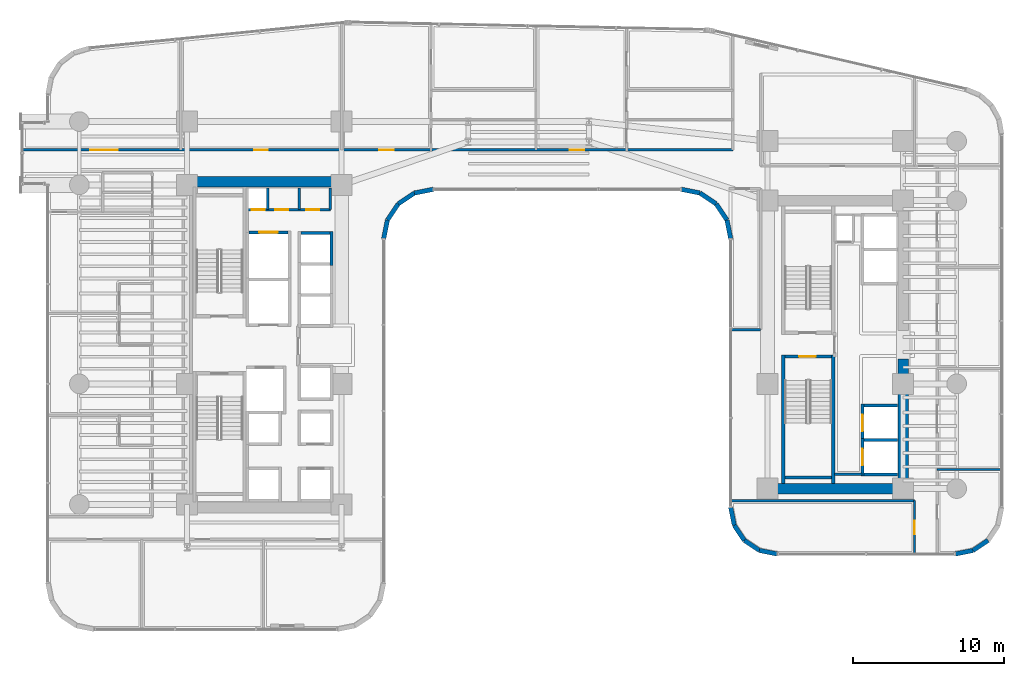
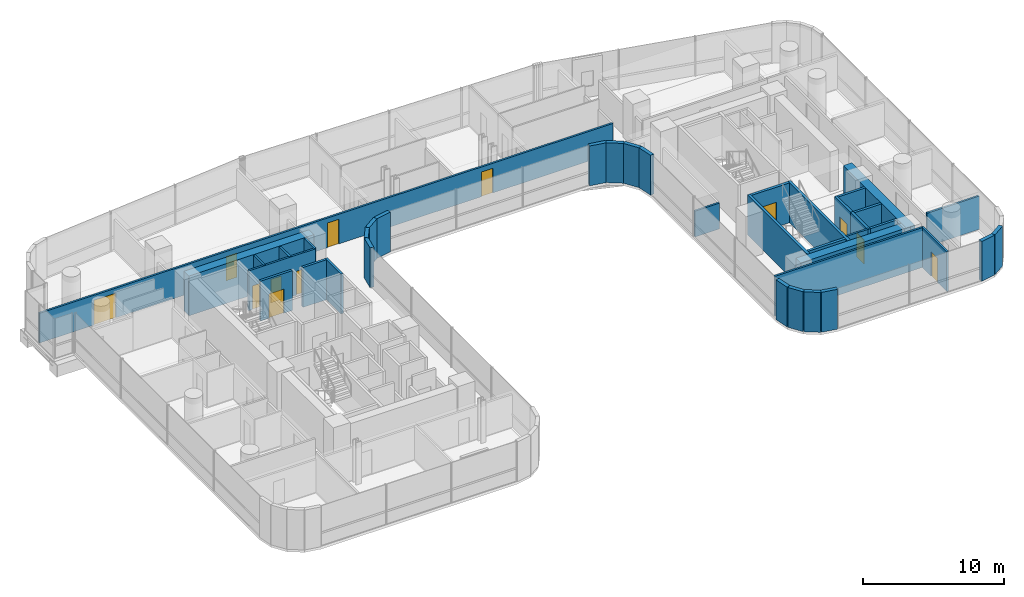
# One storey, part 33 of 41: 39 walls, 12 doors, 12 openings.
"""IFC4 building model written with IfcOpenShell, lengths in metres."""

from ifc_helpers import new_model, si_unit, direction, frame, frame_2d, origin, place, context, subcontext, project, spatial, rectangle, extrude, material, layer, layer_set, type_object, element, fill, save


model = new_model("IFC4")

# Units and contexts
model_context = context("Model", 3, precision=1e-05, world=origin(), true_north=direction((0.0, 1.0)))
body_context = subcontext(model_context, "Body", "Model", "MODEL_VIEW")
ifc_project = project(units=[si_unit("LENGTHUNIT", "METRE"), si_unit("AREAUNIT", "SQUARE_METRE"), si_unit("VOLUMEUNIT", "CUBIC_METRE"), si_unit("PLANEANGLEUNIT", "RADIAN"), si_unit("MASSUNIT", "GRAM", prefix="KILO")], contexts=[model_context])

# Site, building, storey
site_placement = place(None, origin())
site = spatial("IfcSite", under=ifc_project, at=site_placement, CompositionType="ELEMENT")
building_placement = place(site_placement, origin())
building = spatial("IfcBuilding", under=site, at=building_placement, Name="Valdorenza Pilgrim Sanctuary Tower", CompositionType="ELEMENT")
storey_placement = place(building_placement, frame((0.0, 0.0, 85.199951171875)))
storey = spatial("IfcBuildingStorey", under=building, at=storey_placement, Name="L21", CompositionType="ELEMENT", Elevation=85.199951171875)

# Wall, openings, doors
ifc_material_1 = material(Name="Acoustic twin-stud gypsum partition", Category="gypsum")
ifc_layer_1 = layer(ifc_material_1, 0.159912109375, Name="Acoustic twin-stud gypsum partition")
ifc_layer_set_1 = layer_set([ifc_layer_1], Name="Acoustic twin-stud gypsum partition")
wall_type_1 = type_object("IfcWallType", Name="WAL-COR-160", PredefinedType="PARTITIONING", material=ifc_layer_set_1)
wall_1_placement = place(storey_placement, frame((-18.64990234375, 8.949951171875, 0.0), z_axis=(0.0, 0.0, 1.0), x_axis=(1.0, 0.0, 0.0)))
wall_1 = element("IfcWall", 1, at=wall_1_placement, inside=storey, type_object=wall_type_1, Name="L21 Core A North Service South Wall", PredefinedType="PARTITIONING", context=body_context, shape_type="SweptSolid", body=[
    extrude(rectangle(XDim=5.5, YDim=0.159912109375, at=frame_2d((2.75, 0.0))), origin(), (0.0, 0.0, 1.0), 3.4599609375),
])
opening_1_placement = place(wall_1_placement, frame((0.300048828125, 0.0, 0.0)))
opening_1 = element("IfcOpeningElement", 2, at=opening_1_placement, cuts=wall_1, Name="Opening DR-RS1", PredefinedType="OPENING", context=body_context, shape_type="SweptSolid", body=[
    extrude(rectangle(XDim=0.85009765625, YDim=2.050048828125, at=frame_2d((0.425048828125, 1.02490234375))), frame((0.0, 0.0947265625, 0.0), z_axis=(0.0, -1.0, 0.0), x_axis=(1.0, 0.0, 0.0)), (0.0, 0.0, 1.0), 0.189697265625),
])
opening_2_placement = place(wall_1_placement, frame((1.85009765625, 0.0, 0.0)))
opening_2 = element("IfcOpeningElement", 3, at=opening_2_placement, cuts=wall_1, Name="Opening DR-RS1", PredefinedType="OPENING", context=body_context, shape_type="SweptSolid", body=[
    extrude(rectangle(XDim=0.85009765625, YDim=2.050048828125, at=frame_2d((0.425048828125, 1.02490234375))), frame((0.0, 0.0947265625, 0.0), z_axis=(0.0, -1.0, 0.0), x_axis=(1.0, 0.0, 0.0)), (0.0, 0.0, 1.0), 0.189697265625),
])
opening_3_placement = place(wall_1_placement, frame((3.89990234375, 0.0, 0.0)))
opening_3 = element("IfcOpeningElement", 4, at=opening_3_placement, cuts=wall_1, Name="Opening DR-RS1", PredefinedType="OPENING", context=body_context, shape_type="SweptSolid", body=[
    extrude(rectangle(XDim=0.85009765625, YDim=2.050048828125, at=frame_2d((0.425048828125, 1.02490234375))), frame((0.0, 0.0947265625, 0.0), z_axis=(0.0, -1.0, 0.0), x_axis=(1.0, 0.0, 0.0)), (0.0, 0.0, 1.0), 0.189697265625),
])
ifc_material_2 = material(Name="Painted galvanized steel", Category="steel")
door_type_1 = type_object("IfcDoorType", Name="DR-RSR-850", OperationType="NOTDEFINED", PredefinedType="DOOR", material=ifc_material_2)
door_1_placement = place(opening_1_placement, origin())
door_1 = element("IfcDoor", 5, at=door_1_placement, inside=storey, type_object=door_type_1, Name="L21 Core Electrical and Telecom Riser Door", OperationType="SINGLE_SWING_LEFT", OverallHeight=2.050048828125, OverallWidth=0.85009765625, PredefinedType="DOOR", context=body_context, shape_type="SweptSolid", body=[
    extrude(rectangle(XDim=0.85009765625, YDim=2.050048828125, at=frame_2d((0.425048828125, 1.02490234375))), frame((0.0, 0.02490234375, 0.0), z_axis=(0.0, -1.0, 0.0), x_axis=(1.0, 0.0, 0.0)), (0.0, 0.0, 1.0), 0.050048828125),
])
fill(opening_1, door_1)
door_2_placement = place(opening_2_placement, origin())
door_2 = element("IfcDoor", 6, at=door_2_placement, inside=storey, type_object=door_type_1, Name="L21 Housekeeping and Clean Linen Room Door", OperationType="SINGLE_SWING_RIGHT", OverallHeight=2.050048828125, OverallWidth=0.85009765625, PredefinedType="DOOR", context=body_context, shape_type="SweptSolid", body=[
    extrude(rectangle(XDim=0.85009765625, YDim=2.050048828125, at=frame_2d((0.425048828125, 1.02490234375))), frame((0.0, 0.02490234375, 0.0), z_axis=(0.0, -1.0, 0.0), x_axis=(1.0, 0.0, 0.0)), (0.0, 0.0, 1.0), 0.050048828125),
])
fill(opening_2, door_2)
door_3_placement = place(opening_3_placement, origin())
door_3 = element("IfcDoor", 7, at=door_3_placement, inside=storey, type_object=door_type_1, Name="L21 Guest Ice and Vending Pantry Door", OperationType="SINGLE_SWING_LEFT", OverallHeight=2.050048828125, OverallWidth=0.85009765625, PredefinedType="DOOR", context=body_context, shape_type="SweptSolid", body=[
    extrude(rectangle(XDim=0.85009765625, YDim=2.050048828125, at=frame_2d((0.425048828125, 1.02490234375))), frame((0.0, 0.02490234375, 0.0), z_axis=(0.0, -1.0, 0.0), x_axis=(1.0, 0.0, 0.0)), (0.0, 0.0, 1.0), 0.050048828125),
])
fill(opening_3, door_3)

# Walls
for number, where, z_axis, x_axis, name in (
    (8, (-13.14990234375, 8.949951171875, 0.0), (0.0, 0.0, 1.0), (0.0, 1.0, 0.0), "L21 Core A North Service East Wall"),
    (9, (-17.300048828125, 8.949951171875, 0.0), (0.0, 0.0, 1.0), (0.0, 1.0, 0.0), "L21 Core Electrical Riser Wall"),
    (10, (-15.199951171875, 8.949951171875, 0.0), (0.0, 0.0, 1.0), (0.0, 1.0, 0.0), "L21 Core A Housekeeping Split B"),
):
    element("IfcWall", number, at=place(storey_placement, frame(where, z_axis=z_axis, x_axis=x_axis)), inside=storey, type_object=wall_type_1, Name=name, PredefinedType="PARTITIONING", context=body_context, shape_type="SweptSolid", body=[
        extrude(rectangle(XDim=1.429931640625, YDim=0.159912109375, at=frame_2d((0.71484375, 0.0))), origin(), (0.0, 0.0, 1.0), 3.4599609375),
    ])
wall_2_placement = place(storey_placement, frame((20.300048828125, -8.60009765625, 0.0), z_axis=(0.0, 0.0, 1.0), x_axis=(1.0, 0.0, 0.0)))
element("IfcWall", 11, at=wall_2_placement, inside=storey, type_object=wall_type_1, Name="L21 Core B Lift Hall South End Wall", PredefinedType="PARTITIONING", context=body_context, shape_type="SweptSolid", body=[
    extrude(rectangle(XDim=1.820068359375, YDim=0.159912109375, at=frame_2d((0.91015625, 0.0))), origin(), (0.0, 0.0, 1.0), 3.4599609375),
])

# Wall, openings, doors
wall_3_placement = place(storey_placement, frame((-33.5400390625, 12.919921875, 0.0), z_axis=(0.0, 0.0, 1.0), x_axis=(1.0, 0.0, 0.0)))
wall_3 = element("IfcWall", 12, at=wall_3_placement, inside=storey, type_object=wall_type_1, Name="L21 North Corridor Wall", PredefinedType="PARTITIONING", context=body_context, shape_type="SweptSolid", body=[
    extrude(rectangle(XDim=47.090087890625, YDim=0.159912109375, at=frame_2d((23.544921875, 0.0))), origin(), (0.0, 0.0, 1.0), 2.5830078125),
])
opening_4_placement = place(wall_3_placement, frame((4.47998046875, 0.0, 0.0)))
opening_4 = element("IfcOpeningElement", 13, at=opening_4_placement, cuts=wall_3, Name="Opening DR-HL1", PredefinedType="OPENING", context=body_context, shape_type="SweptSolid", body=[
    extrude(rectangle(XDim=1.800048828125, YDim=2.14990234375, at=frame_2d((0.89990234375, 1.074951171875))), frame((0.0, 0.0947265625, 0.0), z_axis=(0.0, -1.0, 0.0), x_axis=(1.0, 0.0, 0.0)), (0.0, 0.0, 1.0), 0.189697265625),
])
opening_5_placement = place(wall_3_placement, frame((15.35498046875, 0.0, 0.0)))
opening_5 = element("IfcOpeningElement", 14, at=opening_5_placement, cuts=wall_3, Name="Opening DR-RM1", PredefinedType="OPENING", context=body_context, shape_type="SweptSolid", body=[
    extrude(rectangle(XDim=0.89990234375, YDim=2.10009765625, at=frame_2d((0.449951171875, 1.050048828125))), frame((0.0, 0.0947265625, 0.0), z_axis=(0.0, -1.0, 0.0), x_axis=(1.0, 0.0, 0.0)), (0.0, 0.0, 1.0), 0.189697265625),
])
opening_6_placement = place(wall_3_placement, frame((23.632080078125, 0.0, 0.0)))
opening_6 = element("IfcOpeningElement", 15, at=opening_6_placement, cuts=wall_3, Name="Opening DR-UN1", PredefinedType="OPENING", context=body_context, shape_type="SweptSolid", body=[
    extrude(rectangle(XDim=0.949951171875, YDim=2.14990234375, at=frame_2d((0.47509765625, 1.074951171875))), frame((0.0, 0.0947265625, 0.0), z_axis=(0.0, -1.0, 0.0), x_axis=(1.0, 0.0, 0.0)), (0.0, 0.0, 1.0), 0.189697265625),
])
opening_7_placement = place(wall_3_placement, frame((36.280029296875, 0.0, 0.0)))
opening_7 = element("IfcOpeningElement", 16, at=opening_7_placement, cuts=wall_3, Name="Opening DR-UN1", PredefinedType="OPENING", context=body_context, shape_type="SweptSolid", body=[
    extrude(rectangle(XDim=0.949951171875, YDim=2.14990234375, at=frame_2d((0.47509765625, 1.074951171875))), frame((0.0, 0.0947265625, 0.0), z_axis=(0.0, -1.0, 0.0), x_axis=(1.0, 0.0, 0.0)), (0.0, 0.0, 1.0), 0.189697265625),
])
ifc_material_3 = material(Name="Acoustic oak and vision-glass double door", Category="glass")
door_type_2 = type_object("IfcDoorType", Name="DR-HALL-1800", OperationType="NOTDEFINED", PredefinedType="DOOR", material=ifc_material_3)
door_4_placement = place(opening_4_placement, origin())
door_4 = element("IfcDoor", 17, at=door_4_placement, inside=storey, type_object=door_type_2, Name="L21 Sacred Art Exhibition Gallery L21-N1 Door", OperationType="DOUBLE_DOOR_SINGLE_SWING", OverallHeight=2.14990234375, OverallWidth=1.800048828125, PredefinedType="DOOR", context=body_context, shape_type="SweptSolid", body=[
    extrude(rectangle(XDim=1.800048828125, YDim=2.14990234375, at=frame_2d((0.89990234375, 1.074951171875))), frame((0.0, 0.02490234375, 0.0), z_axis=(0.0, -1.0, 0.0), x_axis=(1.0, 0.0, 0.0)), (0.0, 0.0, 1.0), 0.050048828125),
])
fill(opening_4, door_4)
ifc_material_4 = material(Name="Solid-core European oak timber", Category="wood")
door_type_3 = type_object("IfcDoorType", Name="DR-ROOM-900", OperationType="NOTDEFINED", PredefinedType="DOOR", material=ifc_material_4)
door_5_placement = place(opening_5_placement, frame((0.89990234375, 0.0, 0.0), z_axis=(0.0, 0.0, 1.0), x_axis=(-1.0, 0.0, 0.0)))
door_5 = element("IfcDoor", 18, at=door_5_placement, inside=storey, type_object=door_type_3, Name="L21 Sacred Manuscript Archive L21-N2 Door", OperationType="SINGLE_SWING_LEFT", OverallHeight=2.10009765625, OverallWidth=0.89990234375, PredefinedType="DOOR", context=body_context, shape_type="SweptSolid", body=[
    extrude(rectangle(XDim=0.89990234375, YDim=2.10009765625, at=frame_2d((0.449951171875, 1.050048828125))), frame((0.0, 0.02490234375, 0.0), z_axis=(0.0, -1.0, 0.0), x_axis=(1.0, 0.0, 0.0)), (0.0, 0.0, 1.0), 0.050048828125),
])
fill(opening_5, door_5)
door_type_4 = type_object("IfcDoorType", Name="DR-UNIT-950", OperationType="NOTDEFINED", PredefinedType="DOOR", material=ifc_material_4)
door_6_placement = place(opening_6_placement, origin())
door_6 = element("IfcDoor", 19, at=door_6_placement, inside=storey, type_object=door_type_4, Name="L21 North Sanctuary Apartment L21-N3 Entrance Door", OperationType="SINGLE_SWING_RIGHT", OverallHeight=2.14990234375, OverallWidth=0.949951171875, PredefinedType="DOOR", context=body_context, shape_type="SweptSolid", body=[
    extrude(rectangle(XDim=0.949951171875, YDim=2.14990234375, at=frame_2d((0.47509765625, 1.074951171875))), frame((0.0, 0.02490234375, 0.0), z_axis=(0.0, -1.0, 0.0), x_axis=(1.0, 0.0, 0.0)), (0.0, 0.0, 1.0), 0.050048828125),
])
fill(opening_6, door_6)
door_7_placement = place(opening_7_placement, origin())
door_7 = element("IfcDoor", 20, at=door_7_placement, inside=storey, type_object=door_type_4, Name="L21 North Sanctuary Apartment L21-N4 Entrance Door", OperationType="SINGLE_SWING_RIGHT", OverallHeight=2.14990234375, OverallWidth=0.949951171875, PredefinedType="DOOR", context=body_context, shape_type="SweptSolid", body=[
    extrude(rectangle(XDim=0.949951171875, YDim=2.14990234375, at=frame_2d((0.47509765625, 1.074951171875))), frame((0.0, 0.02490234375, 0.0), z_axis=(0.0, -1.0, 0.0), x_axis=(1.0, 0.0, 0.0)), (0.0, 0.0, 1.0), 0.050048828125),
])
fill(opening_7, door_7)

# Wall, opening, door
wall_4_placement = place(storey_placement, frame((25.60009765625, -13.889892578125, 0.0), z_axis=(0.0, 0.0, 1.0), x_axis=(0.0, 1.0, 0.0)))
wall_4 = element("IfcWall", 21, at=wall_4_placement, inside=storey, type_object=wall_type_1, Name="L21 Wing B South-East Corridor Wall", PredefinedType="PARTITIONING", context=body_context, shape_type="SweptSolid", body=[
    extrude(rectangle(XDim=3.539794921875, YDim=0.159912109375, at=frame_2d((1.77001953125, 0.0))), origin(), (0.0, 0.0, 1.0), 3.4599609375),
])
opening_8_placement = place(wall_4_placement, frame((1.320068359375, 0.0, 0.0)))
opening_8 = element("IfcOpeningElement", 22, at=opening_8_placement, cuts=wall_4, Name="Opening DR-RM1", PredefinedType="OPENING", context=body_context, shape_type="SweptSolid", body=[
    extrude(rectangle(XDim=0.89990234375, YDim=2.10009765625, at=frame_2d((0.449951171875, 1.050048828125))), frame((0.0, 0.0947265625, 0.0), z_axis=(0.0, -1.0, 0.0), x_axis=(1.0, 0.0, 0.0)), (0.0, 0.0, 1.0), 0.189697265625),
])
door_8_placement = place(opening_8_placement, frame((0.89990234375, 0.0, 0.0), z_axis=(0.0, 0.0, 1.0), x_axis=(-1.0, 0.0, 0.0)))
door_8 = element("IfcDoor", 23, at=door_8_placement, inside=storey, type_object=door_type_3, Name="L21 Theological Reference Library L21-BS Door", OperationType="SINGLE_SWING_LEFT", OverallHeight=2.10009765625, OverallWidth=0.89990234375, PredefinedType="DOOR", context=body_context, shape_type="SweptSolid", body=[
    extrude(rectangle(XDim=0.89990234375, YDim=2.10009765625, at=frame_2d((0.449951171875, 1.050048828125))), frame((0.0, 0.02490234375, 0.0), z_axis=(0.0, -1.0, 0.0), x_axis=(1.0, 0.0, 0.0)), (0.0, 0.0, 1.0), 0.050048828125),
])
fill(opening_8, door_8)

# Walls
wall_5_placement = place(storey_placement, frame((13.409912109375, -10.35009765625, 0.0), z_axis=(0.0, 0.0, 1.0), x_axis=(1.0, 0.0, 0.0)))
element("IfcWall", 24, at=wall_5_placement, inside=storey, type_object=wall_type_1, Name="L21 Wing B South North Wall", PredefinedType="PARTITIONING", context=body_context, shape_type="SweptSolid", body=[
    extrude(rectangle(XDim=12.190185546875, YDim=0.159912109375, at=frame_2d((6.09521484375, 0.0))), origin(), (0.0, 0.0, 1.0), 3.4599609375),
])
wall_6_placement = place(storey_placement, frame((13.409912109375, 1.0, 0.0), z_axis=(0.0, 0.0, 1.0), x_axis=(1.0, 0.0, 0.0)))
element("IfcWall", 25, at=wall_6_placement, inside=storey, type_object=wall_type_1, Name="L21 Courtyard Overlook South Wall", PredefinedType="PARTITIONING", context=body_context, shape_type="SweptSolid", body=[
    extrude(rectangle(XDim=1.989990234375, YDim=0.159912109375, at=frame_2d((0.9951171875, 0.0))), origin(), (0.0, 0.0, 1.0), 2.2451171875),
])
ifc_material_5 = material(Name="Concrete C60/75", Category="concrete")
ifc_layer_2 = layer(ifc_material_5, 0.699951171875, Name="Concrete C60/75")
ifc_layer_set_2 = layer_set([ifc_layer_2], Name="Concrete C60/75")
wall_type_2 = type_object("IfcWallType", Name="WAL-COR-700", PredefinedType="SHEAR", material=ifc_layer_set_2)
wall_7_placement = place(storey_placement, frame((-22.64990234375, 10.800048828125, 0.0), z_axis=(0.0, 0.0, 1.0), x_axis=(1.0, 0.0, 0.0)))
element("IfcWall", 26, at=wall_7_placement, inside=storey, type_object=wall_type_2, Name="L21 Split Core A Shear Wall N", PredefinedType="SHEAR", context=body_context, shape_type="SweptSolid", body=[
    extrude(rectangle(XDim=10.25, YDim=0.699951171875, at=frame_2d((5.125, 0.0))), origin(), (0.0, 0.0, 1.0), 3.4599609375),
])
wall_8_placement = place(storey_placement, frame((24.85009765625, -9.89990234375, 0.0), z_axis=(0.0, 0.0, 1.0), x_axis=(0.0, 1.0, 0.0)))
element("IfcWall", 27, at=wall_8_placement, inside=storey, type_object=wall_type_2, Name="L21 Split Core B Shear Wall ES", PredefinedType="SHEAR", context=body_context, shape_type="SweptSolid", body=[
    extrude(rectangle(XDim=8.949951171875, YDim=0.699951171875, at=frame_2d((4.47509765625, 0.0))), origin(), (0.0, 0.0, 1.0), 3.4599609375),
])
wall_9_placement = place(storey_placement, frame((15.85009765625, -9.550048828125, 0.0), z_axis=(0.0, 0.0, 1.0), x_axis=(1.0, 0.0, 0.0)))
element("IfcWall", 28, at=wall_9_placement, inside=storey, type_object=wall_type_2, Name="L21 Split Core B Shear Wall S", PredefinedType="SHEAR", context=body_context, shape_type="SweptSolid", body=[
    extrude(rectangle(XDim=9.0, YDim=0.699951171875, at=frame_2d((4.5, 0.0))), origin(), (0.0, 0.0, 1.0), 3.4599609375),
])
ifc_material_6 = material(Name="Honed travertine limestone", Category="masonry")
ifc_layer_3 = layer(ifc_material_6, 0.300048828125, Name="Honed travertine limestone")
ifc_layer_set_3 = layer_set([ifc_layer_3], Name="Honed travertine limestone")
wall_type_3 = type_object("IfcWallType", Name="WAL-EXT-300", PredefinedType="SOLIDWALL", material=ifc_layer_set_3)
wall_10_placement = place(storey_placement, frame((30.4833984375, -12.9833984375, 0.0), z_axis=(0.0, 0.0, 1.0), x_axis=(-0.831426265255, -0.555635100982, 0.0)))
element("IfcWall", 29, at=wall_10_placement, inside=storey, type_object=wall_type_3, Name="L21 Rounded Wind-Corner Stone Pier 24", PredefinedType="SOLIDWALL", context=body_context, shape_type="SweptSolid", body=[
    extrude(rectangle(XDim=1.204833984375, YDim=0.300048828125, at=frame_2d((0.6025390625, 0.0))), origin(), (0.0, 0.0, 1.0), 3.4599609375),
])
for number, where, z_axis, x_axis, name in (
    (30, (29.481689453125, -13.65283203125, 0.0), (0.0, 0.0, 1.0), (-0.980804027463, -0.194996050505, 0.0), "L21 Rounded Wind-Corner Stone Pier 25"),
    (31, (16.5107421875, -13.889892578125, 0.0), (0.0, 0.0, 1.0), (-0.980804027463, 0.194996050505, 0.0), "L21 Rounded Wind-Corner Stone Pier 27"),
):
    element("IfcWall", number, at=place(storey_placement, frame(where, z_axis=z_axis, x_axis=x_axis)), inside=storey, type_object=wall_type_3, Name=name, PredefinedType="SOLIDWALL", context=body_context, shape_type="SweptSolid", body=[
        extrude(rectangle(XDim=1.2158203125, YDim=0.300048828125, at=frame_2d((0.60791015625, 0.0))), origin(), (0.0, 0.0, 1.0), 3.4599609375),
    ])
for number, where, z_axis, x_axis, name in (
    (32, (15.318359375, -13.65283203125, 0.0), (0.0, 0.0, 1.0), (-0.831426265255, 0.555635100982, 0.0), "L21 Rounded Wind-Corner Stone Pier 28"),
    (33, (14.316650390625, -12.9833984375, 0.0), (0.0, 0.0, 1.0), (-0.555635100982, 0.831426265255, 0.0), "L21 Rounded Wind-Corner Stone Pier 29"),
):
    element("IfcWall", number, at=place(storey_placement, frame(where, z_axis=z_axis, x_axis=x_axis)), inside=storey, type_object=wall_type_3, Name=name, PredefinedType="SOLIDWALL", context=body_context, shape_type="SweptSolid", body=[
        extrude(rectangle(XDim=1.204833984375, YDim=0.300048828125, at=frame_2d((0.6025390625, 0.0))), origin(), (0.0, 0.0, 1.0), 3.4599609375),
    ])
wall_11_placement = place(storey_placement, frame((13.647216796875, -11.981689453125, 0.0), z_axis=(0.0, 0.0, 1.0), x_axis=(-0.195189223115, 0.980765602568, 0.0)))
element("IfcWall", 34, at=wall_11_placement, inside=storey, type_object=wall_type_3, Name="L21 Rounded Wind-Corner Stone Pier 30", PredefinedType="SOLIDWALL", context=body_context, shape_type="SweptSolid", body=[
    extrude(rectangle(XDim=1.2158203125, YDim=0.300048828125, at=frame_2d((0.60791015625, 0.0))), origin(), (0.0, 0.0, 1.0), 3.4599609375),
])
wall_12_placement = place(storey_placement, frame((13.409912109375, 7.0107421875, 0.0), z_axis=(0.0, 0.0, 1.0), x_axis=(-0.195090163074, 0.980785312019, 0.0)))
element("IfcWall", 35, at=wall_12_placement, inside=storey, type_object=wall_type_3, Name="L21 Rounded Wind-Corner Stone Pier 32", PredefinedType="SOLIDWALL", context=body_context, shape_type="SweptSolid", body=[
    extrude(rectangle(XDim=1.281494140625, YDim=0.300048828125, at=frame_2d((0.640625, 0.0))), origin(), (0.0, 0.0, 1.0), 3.4599609375),
])
for number, where, z_axis, x_axis, name in (
    (36, (13.159912109375, 8.267578125, 0.0), (0.0, 0.0, 1.0), (-0.555615398575, 0.831439431869, 0.0), "L21 Rounded Wind-Corner Stone Pier 33"),
    (37, (12.44189453125, 9.342041015625, 0.0), (0.0, 0.0, 1.0), (-0.831439431869, 0.555615398575, 0.0), "L21 Rounded Wind-Corner Stone Pier 34"),
):
    element("IfcWall", number, at=place(storey_placement, frame(where, z_axis=z_axis, x_axis=x_axis)), inside=storey, type_object=wall_type_3, Name=name, PredefinedType="SOLIDWALL", context=body_context, shape_type="SweptSolid", body=[
        extrude(rectangle(XDim=1.292236328125, YDim=0.300048828125, at=frame_2d((0.64599609375, 0.0))), origin(), (0.0, 0.0, 1.0), 3.4599609375),
    ])
for number, where, z_axis, x_axis, name in (
    (38, (11.367431640625, 10.06005859375, 0.0), (0.0, 0.0, 1.0), (-0.980778058848, 0.195126623715, 0.0), "L21 Rounded Wind-Corner Stone Pier 35"),
    (39, (-6.310791015625, 10.31005859375, 0.0), (0.0, 0.0, 1.0), (-0.980778058848, -0.195126623715, 0.0), "L21 Rounded Wind-Corner Stone Pier 37"),
):
    element("IfcWall", number, at=place(storey_placement, frame(where, z_axis=z_axis, x_axis=x_axis)), inside=storey, type_object=wall_type_3, Name=name, PredefinedType="SOLIDWALL", context=body_context, shape_type="SweptSolid", body=[
        extrude(rectangle(XDim=1.28125, YDim=0.300048828125, at=frame_2d((0.640625, 0.0))), origin(), (0.0, 0.0, 1.0), 3.4599609375),
    ])
wall_13_placement = place(storey_placement, frame((-7.5673828125, 10.06005859375, 0.0), z_axis=(0.0, 0.0, 1.0), x_axis=(-0.831497739511, -0.555528135371, 0.0)))
element("IfcWall", 40, at=wall_13_placement, inside=storey, type_object=wall_type_3, Name="L21 Rounded Wind-Corner Stone Pier 38", PredefinedType="SOLIDWALL", context=body_context, shape_type="SweptSolid", body=[
    extrude(rectangle(XDim=1.29248046875, YDim=0.300048828125, at=frame_2d((0.646240234375, 0.0))), origin(), (0.0, 0.0, 1.0), 3.4599609375),
])
wall_14_placement = place(storey_placement, frame((-8.64208984375, 9.342041015625, 0.0), z_axis=(0.0, 0.0, 1.0), x_axis=(-0.555615398575, -0.831439431869, 0.0)))
element("IfcWall", 41, at=wall_14_placement, inside=storey, type_object=wall_type_3, Name="L21 Rounded Wind-Corner Stone Pier 39", PredefinedType="SOLIDWALL", context=body_context, shape_type="SweptSolid", body=[
    extrude(rectangle(XDim=1.292236328125, YDim=0.300048828125, at=frame_2d((0.64599609375, 0.0))), origin(), (0.0, 0.0, 1.0), 3.4599609375),
])
wall_15_placement = place(storey_placement, frame((-9.360107421875, 8.267578125, 0.0), z_axis=(0.0, 0.0, 1.0), x_axis=(-0.195090163074, -0.980785312019, 0.0)))
element("IfcWall", 42, at=wall_15_placement, inside=storey, type_object=wall_type_3, Name="L21 Rounded Wind-Corner Stone Pier 40", PredefinedType="SOLIDWALL", context=body_context, shape_type="SweptSolid", body=[
    extrude(rectangle(XDim=1.281494140625, YDim=0.300048828125, at=frame_2d((0.640625, 0.0))), origin(), (0.0, 0.0, 1.0), 3.4599609375),
])

# Wall, opening, door
ifc_material_7 = material(Name="Autoclaved aerated concrete blockwork", Category="masonry")
ifc_layer_4 = layer(ifc_material_7, 0.199951171875, Name="Autoclaved aerated concrete blockwork")
ifc_layer_set_4 = layer_set([ifc_layer_4], Name="Autoclaved aerated concrete blockwork")
wall_type_4 = type_object("IfcWallType", Name="WAL-SHF-200", PredefinedType="MOVABLE", material=ifc_layer_set_4)
wall_16_placement = place(storey_placement, frame((-18.550048828125, 7.449951171875, 0.0), z_axis=(0.0, 0.0, 1.0), x_axis=(1.0, 0.0, 0.0)))
wall_16 = element("IfcWall", 43, at=wall_16_placement, inside=storey, type_object=wall_type_4, Name="L21 Lift SVL-01 Hoistway Wall North", PredefinedType="MOVABLE", context=body_context, shape_type="SweptSolid", body=[
    extrude(rectangle(XDim=2.60009765625, YDim=0.199951171875, at=frame_2d((1.300048828125, 0.0))), origin(), (0.0, 0.0, 1.0), 3.4599609375),
])
opening_9_placement = place(wall_16_placement, frame((0.699951171875, 0.0, 0.0)))
opening_9 = element("IfcOpeningElement", 44, at=opening_9_placement, cuts=wall_16, Name="Opening LD-02", PredefinedType="OPENING", context=body_context, shape_type="SweptSolid", body=[
    extrude(rectangle(XDim=1.199951171875, YDim=2.10009765625, at=frame_2d((0.60009765625, 1.050048828125))), frame((0.0, 0.11474609375, 0.0), z_axis=(0.0, -1.0, 0.0), x_axis=(1.0, 0.0, 0.0)), (0.0, 0.0, 1.0), 0.229736328125),
])
ifc_material_8 = material(Name="Brushed stainless steel Grade 316", Category="steel")
door_type_5 = type_object("IfcDoorType", Name="DR-LFT-1200", OperationType="DOUBLE_DOOR_SLIDING", PredefinedType="DOOR", material=ifc_material_8)
door_9_placement = place(opening_9_placement, origin())
door_9 = element("IfcDoor", 45, at=door_9_placement, inside=storey, type_object=door_type_5, Name="L21 Lift SVL-01 Sliding Landing Door", OperationType="DOUBLE_DOOR_SLIDING", OverallHeight=2.10009765625, OverallWidth=1.199951171875, PredefinedType="DOOR", context=body_context, shape_type="SweptSolid", body=[
    extrude(rectangle(XDim=1.199951171875, YDim=2.10009765625, at=frame_2d((0.60009765625, 1.050048828125))), frame((0.0, 0.02490234375, 0.0), z_axis=(0.0, -1.0, 0.0), x_axis=(1.0, 0.0, 0.0)), (0.0, 0.0, 1.0), 0.050048828125),
])
fill(opening_9, door_9)

wall_17_placement = place(storey_placement, frame((22.14990234375, -8.699951171875, 0.0), z_axis=(0.0, 0.0, 1.0), x_axis=(0.0, 1.0, 0.0)))
wall_17 = element("IfcWall", 46, at=wall_17_placement, inside=storey, type_object=wall_type_4, Name="L21 Lift PL-03 Hoistway Wall West", PredefinedType="MOVABLE", context=body_context, shape_type="SweptSolid", body=[
    extrude(rectangle(XDim=2.474853515625, YDim=0.199951171875, at=frame_2d((1.2373046875, 0.0))), origin(), (0.0, 0.0, 1.0), 3.4599609375),
])
opening_10_placement = place(wall_17_placement, frame((0.6875, 0.0, 0.0)))
opening_10 = element("IfcOpeningElement", 47, at=opening_10_placement, cuts=wall_17, Name="Opening LD-01", PredefinedType="OPENING", context=body_context, shape_type="SweptSolid", body=[
    extrude(rectangle(XDim=1.10009765625, YDim=2.10009765625, at=frame_2d((0.550048828125, 1.050048828125))), frame((0.0, 0.11474609375, 0.0), z_axis=(0.0, -1.0, 0.0), x_axis=(1.0, 0.0, 0.0)), (0.0, 0.0, 1.0), 0.229736328125),
])
door_type_6 = type_object("IfcDoorType", Name="DR-LFT-1100", OperationType="DOUBLE_DOOR_SLIDING", PredefinedType="DOOR", material=ifc_material_8)
door_10_placement = place(opening_10_placement, origin())
door_10 = element("IfcDoor", 48, at=door_10_placement, inside=storey, type_object=door_type_6, Name="L21 Lift PL-03 Sliding Landing Door", OperationType="DOUBLE_DOOR_SLIDING", OverallHeight=2.10009765625, OverallWidth=1.10009765625, PredefinedType="DOOR", context=body_context, shape_type="SweptSolid", body=[
    extrude(rectangle(XDim=1.10009765625, YDim=2.10009765625, at=frame_2d((0.550048828125, 1.050048828125))), frame((0.0, 0.02490234375, 0.0), z_axis=(0.0, -1.0, 0.0), x_axis=(1.0, 0.0, 0.0)), (0.0, 0.0, 1.0), 0.050048828125),
])
fill(opening_10, door_10)

# Walls
for number, where, z_axis, x_axis, name in (
    (49, (22.25, -8.60009765625, 0.0), (0.0, 0.0, 1.0), (1.0, 0.0, 0.0), "L21 Lift PL-03 Hoistway Wall South"),
    (50, (22.25, -6.324951171875, 0.0), (0.0, 0.0, 1.0), (1.0, 0.0, 0.0), "L21 Lift PL-03 Hoistway Wall North"),
):
    element("IfcWall", number, at=place(storey_placement, frame(where, z_axis=z_axis, x_axis=x_axis)), inside=storey, type_object=wall_type_4, Name=name, PredefinedType="MOVABLE", context=body_context, shape_type="SweptSolid", body=[
        extrude(rectangle(XDim=2.22998046875, YDim=0.199951171875, at=frame_2d((1.114990234375, 0.0))), origin(), (0.0, 0.0, 1.0), 3.4599609375),
    ])

# Wall, opening, door
wall_18_placement = place(storey_placement, frame((22.14990234375, -6.425048828125, 0.0), z_axis=(0.0, 0.0, 1.0), x_axis=(0.0, 1.0, 0.0)))
wall_18 = element("IfcWall", 51, at=wall_18_placement, inside=storey, type_object=wall_type_4, Name="L21 Lift PL-04 Hoistway Wall West", PredefinedType="MOVABLE", context=body_context, shape_type="SweptSolid", body=[
    extrude(rectangle(XDim=2.47509765625, YDim=0.199951171875, at=frame_2d((1.237548828125, 0.0))), origin(), (0.0, 0.0, 1.0), 3.4599609375),
])
opening_11_placement = place(wall_18_placement, frame((0.6875, 0.0, 0.0)))
opening_11 = element("IfcOpeningElement", 52, at=opening_11_placement, cuts=wall_18, Name="Opening LD-01", PredefinedType="OPENING", context=body_context, shape_type="SweptSolid", body=[
    extrude(rectangle(XDim=1.10009765625, YDim=2.10009765625, at=frame_2d((0.550048828125, 1.050048828125))), frame((0.0, 0.11474609375, 0.0), z_axis=(0.0, -1.0, 0.0), x_axis=(1.0, 0.0, 0.0)), (0.0, 0.0, 1.0), 0.229736328125),
])
door_11_placement = place(opening_11_placement, origin())
door_11 = element("IfcDoor", 53, at=door_11_placement, inside=storey, type_object=door_type_6, Name="L21 Lift PL-04 Sliding Landing Door", OperationType="DOUBLE_DOOR_SLIDING", OverallHeight=2.10009765625, OverallWidth=1.10009765625, PredefinedType="DOOR", context=body_context, shape_type="SweptSolid", body=[
    extrude(rectangle(XDim=1.10009765625, YDim=2.10009765625, at=frame_2d((0.550048828125, 1.050048828125))), frame((0.0, 0.02490234375, 0.0), z_axis=(0.0, -1.0, 0.0), x_axis=(1.0, 0.0, 0.0)), (0.0, 0.0, 1.0), 0.050048828125),
])
fill(opening_11, door_11)

# Walls
wall_19_placement = place(storey_placement, frame((22.25, -4.050048828125, 0.0), z_axis=(0.0, 0.0, 1.0), x_axis=(1.0, 0.0, 0.0)))
element("IfcWall", 54, at=wall_19_placement, inside=storey, type_object=wall_type_4, Name="L21 Lift PL-04 Hoistway Wall North", PredefinedType="MOVABLE", context=body_context, shape_type="SweptSolid", body=[
    extrude(rectangle(XDim=2.22998046875, YDim=0.199951171875, at=frame_2d((1.114990234375, 0.0))), origin(), (0.0, 0.0, 1.0), 3.4599609375),
])
wall_20_placement = place(storey_placement, frame((-13.080078125, 5.25, 0.0), z_axis=(0.0, 0.0, 1.0), x_axis=(0.0, 1.0, 0.0)))
element("IfcWall", 55, at=wall_20_placement, inside=storey, type_object=wall_type_4, Name="L21 Lift PL-10 Hoistway Wall East", PredefinedType="MOVABLE", context=body_context, shape_type="SweptSolid", body=[
    extrude(rectangle(XDim=2.25, YDim=0.199951171875, at=frame_2d((1.125, 0.0))), origin(), (0.0, 0.0, 1.0), 3.4599609375),
])
wall_21_placement = place(storey_placement, frame((-15.10009765625, 7.39990234375, 0.0), z_axis=(0.0, 0.0, 1.0), x_axis=(1.0, 0.0, 0.0)))
element("IfcWall", 56, at=wall_21_placement, inside=storey, type_object=wall_type_4, Name="L21 Lift PL-10 Hoistway Wall North", PredefinedType="MOVABLE", context=body_context, shape_type="SweptSolid", body=[
    extrude(rectangle(XDim=1.920166015625, YDim=0.199951171875, at=frame_2d((0.9599609375, 0.0))), origin(), (0.0, 0.0, 1.0), 3.4599609375),
])
ifc_material_9 = material(Name="Concrete C40/50", Category="concrete")
ifc_layer_5 = layer(ifc_material_9, 0.219970703125, Name="Concrete C40/50")
ifc_layer_set_5 = layer_set([ifc_layer_5], Name="Concrete C40/50")
wall_type_5 = type_object("IfcWallType", Name="WAL-STR-SHF-220", PredefinedType="SHEAR", material=ifc_layer_set_5)
for number, where, z_axis, x_axis, name in (
    (57, (16.889892578125, -9.199951171875, 0.0), (0.0, 0.0, 1.0), (0.0, 1.0, 0.0), "L21 ST-B2 Structural Stairwell Wall W"),
    (58, (20.219970703125, -9.199951171875, 0.0), (0.0, 0.0, 1.0), (0.0, 1.0, 0.0), "L21 ST-B2 Structural Stairwell Wall E"),
):
    element("IfcWall", number, at=place(storey_placement, frame(where, z_axis=z_axis, x_axis=x_axis)), inside=storey, type_object=wall_type_5, Name=name, PredefinedType="SHEAR", context=body_context, shape_type="SweptSolid", body=[
        extrude(rectangle(XDim=8.52001953125, YDim=0.219970703125, at=frame_2d((4.260009765625, 0.0))), origin(), (0.0, 0.0, 1.0), 3.4599609375),
    ])
wall_22_placement = place(storey_placement, frame((17.0, -8.81005859375, 0.0), z_axis=(0.0, 0.0, 1.0), x_axis=(1.0, 0.0, 0.0)))
element("IfcWall", 59, at=wall_22_placement, inside=storey, type_object=wall_type_5, Name="L21 ST-B2 Structural Stairwell Wall S", PredefinedType="SHEAR", context=body_context, shape_type="SweptSolid", body=[
    extrude(rectangle(XDim=3.110107421875, YDim=0.219970703125, at=frame_2d((1.55517578125, 0.0))), origin(), (0.0, 0.0, 1.0), 3.4599609375),
])

# Wall, opening, door
wall_23_placement = place(storey_placement, frame((17.0, -0.7900390625, 0.0), z_axis=(0.0, 0.0, 1.0), x_axis=(1.0, 0.0, 0.0)))
wall_23 = element("IfcWall", 60, at=wall_23_placement, inside=storey, type_object=wall_type_5, Name="L21 ST-B2 Structural Stairwell Wall N", PredefinedType="SHEAR", context=body_context, shape_type="SweptSolid", body=[
    extrude(rectangle(XDim=3.110107421875, YDim=0.219970703125, at=frame_2d((1.55517578125, 0.0))), origin(), (0.0, 0.0, 1.0), 3.4599609375),
])
opening_12_placement = place(wall_23_placement, frame((0.949951171875, 0.0, 0.0)))
opening_12 = element("IfcOpeningElement", 61, at=opening_12_placement, cuts=wall_23, Name="Opening DR-ST1", PredefinedType="OPENING", context=body_context, shape_type="SweptSolid", body=[
    extrude(rectangle(XDim=1.10009765625, YDim=2.14990234375, at=frame_2d((0.550048828125, 1.074951171875))), frame((0.0, 0.125, 0.0), z_axis=(0.0, -1.0, 0.0), x_axis=(1.0, 0.0, 0.0)), (0.0, 0.0, 1.0), 0.249755859375),
])
door_type_7 = type_object("IfcDoorType", Name="DR-STAIR-1100", OperationType="NOTDEFINED", PredefinedType="DOOR", material=ifc_material_2)
door_12_placement = place(opening_12_placement, origin())
door_12 = element("IfcDoor", 62, at=door_12_placement, inside=storey, type_object=door_type_7, Name="L21 Exit Stair ST-B2 Door", OperationType="SINGLE_SWING_RIGHT", OverallHeight=2.14990234375, OverallWidth=1.10009765625, PredefinedType="DOOR", context=body_context, shape_type="SweptSolid", body=[
    extrude(rectangle(XDim=1.10009765625, YDim=2.14990234375, at=frame_2d((0.550048828125, 1.074951171875))), frame((0.0, 0.02490234375, 0.0), z_axis=(0.0, -1.0, 0.0), x_axis=(1.0, 0.0, 0.0)), (0.0, 0.0, 1.0), 0.050048828125),
])
fill(opening_12, door_12)

# Wall
ifc_layer_6 = layer(ifc_material_1, 0.14990234375, Name="Acoustic twin-stud gypsum partition")
ifc_layer_set_6 = layer_set([ifc_layer_6], Name="Acoustic twin-stud gypsum partition")
wall_type_6 = type_object("IfcWallType", Name="WAL-UNT-150", PredefinedType="PARTITIONING", material=ifc_layer_set_6)
wall_24_placement = place(storey_placement, frame((27.10009765625, -8.28759765625, 0.0), z_axis=(0.0, 0.0, 1.0), x_axis=(1.0, 0.0, 0.0)))
element("IfcWall", 63, at=wall_24_placement, inside=storey, type_object=wall_type_6, Name="L21 East Reading Lounge L21-EB2 Demising Wall", PredefinedType="PARTITIONING", context=body_context, shape_type="SweptSolid", body=[
    extrude(rectangle(XDim=4.289794921875, YDim=0.14990234375, at=frame_2d((2.14501953125, 0.0))), origin(), (0.0, 0.0, 1.0), 2.89599609375),
])

save(model, "model.ifc")
